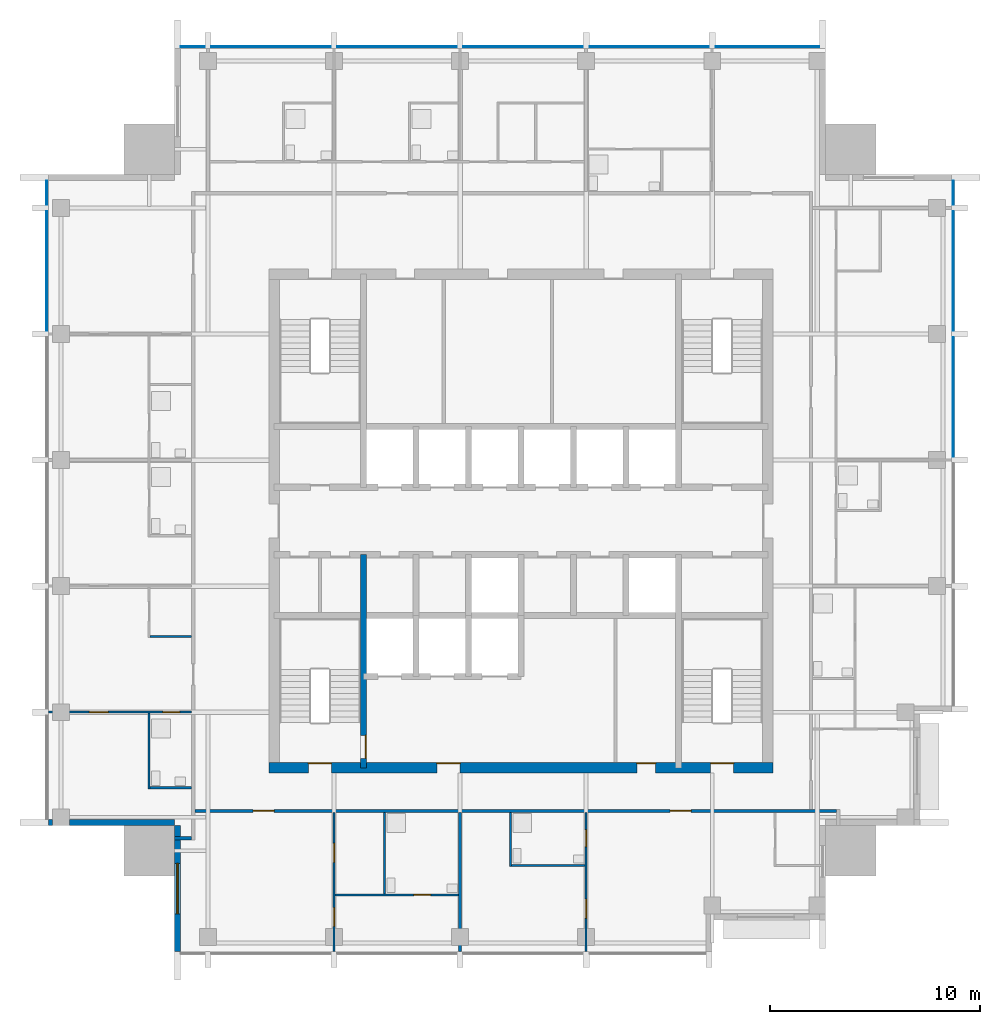
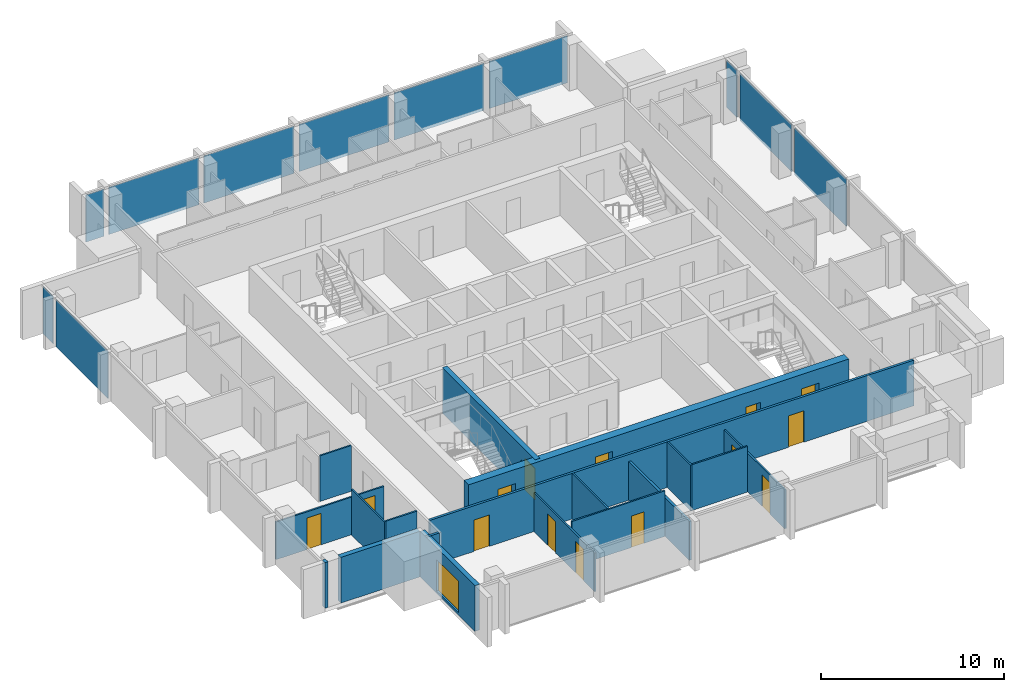
# One storey, part 3 of 9: 18 walls, 14 doors, 11 plates, 1 window, 15 openings, 3 elements without a shape of their own.
"""IFC4 building model written with IfcOpenShell, lengths in metres."""

import ifcopenshell
import ifcopenshell.guid

model = None  # the IFC model being written
_history = None  # IfcOwnerHistory: only IFC2X3 demands one
_inside = {}  # id of a spatial element -> (the spatial element, [elements in it])
_under = {}  # id of a project, library or spatial element -> (it, [spatial elements below it])
_declared = {}  # id of a project -> (the project, [libraries it declares])
_typed = {}  # id of a type object -> (the type object, [elements of that type])
_made_of = {}  # id of a material, layer set ... -> (it, [elements and type objects made of it])


def new_model(schema):
    """Start an empty IFC model of exactly this schema.

    Asked for "IFC4X3", IfcOpenShell would pick the latest addendum, in which some entities
    have other attributes; the version numbers below select the first issue.
    IFC2X3 requires an IfcOwnerHistory on every rooted entity: one is made here for all.
    """
    global model, _history
    if schema == "IFC4X3":
        model = ifcopenshell.file(schema_version=(4, 3, 0, 0))
    else:
        model = ifcopenshell.file(schema=schema)
    _inside.clear()
    _under.clear()
    _declared.clear()
    _typed.clear()
    _made_of.clear()
    _history = None
    if model.schema == "IFC2X3":
        org = make("IfcOrganization", Name="unknown")
        user = make(
            "IfcPersonAndOrganization",
            ThePerson=make("IfcPerson", FamilyName="unknown"),
            TheOrganization=org,
        )
        app = make(
            "IfcApplication",
            ApplicationDeveloper=org,
            Version="unknown",
            ApplicationFullName="unknown",
            ApplicationIdentifier="unknown",
        )
        _history = make(
            "IfcOwnerHistory",
            OwningUser=user,
            OwningApplication=app,
            ChangeAction="ADDED",
            CreationDate=0,
        )
    return model


def make(cls, **values):
    """One entity of the class cls with the attributes given. An attribute that is None is left unset."""
    return model.create_entity(
        cls, **{name: value for name, value in values.items() if value is not None}
    )


def rooted(cls, **values):
    """An entity with a GlobalId (a new one), such as an element, a storey or a relation."""
    return make(cls, GlobalId=ifcopenshell.guid.new(), OwnerHistory=_history, **values)


def si_unit(unit_type, name, prefix=None):
    """IfcSIUnit, for example si_unit("LENGTHUNIT", "METRE", prefix="MILLI")."""
    return make("IfcSIUnit", UnitType=unit_type, Prefix=prefix, Name=name)


def assignment(units):
    """IfcUnitAssignment: the units of a project."""
    return None if units is None else make("IfcUnitAssignment", Units=units)


def point(xyz):
    """IfcCartesianPoint."""
    return None if xyz is None else make("IfcCartesianPoint", Coordinates=xyz)


def direction(xyz):
    """IfcDirection."""
    return None if xyz is None else make("IfcDirection", DirectionRatios=xyz)


def frame(location, z_axis=None, x_axis=None):
    """IfcAxis2Placement3D, a coordinate frame: its origin and axes. An axis left out is left unset."""
    return make(
        "IfcAxis2Placement3D",
        Location=point(location),
        Axis=direction(z_axis),
        RefDirection=direction(x_axis),
    )


def frame_2d(location, x_axis=None):
    """IfcAxis2Placement2D, a coordinate frame in the plane: its origin and x axis."""
    return make(
        "IfcAxis2Placement2D", Location=point(location), RefDirection=direction(x_axis)
    )


def origin():
    """The frame at (0, 0, 0) with its axes left unset."""
    return frame((0.0, 0.0, 0.0))


def origin_2d():
    """The frame at (0, 0) in the plane with its x axis left unset."""
    return frame_2d((0.0, 0.0))


def place(relative_to, where):
    """IfcLocalPlacement: puts the frame where relative to a parent placement (None: the world)."""
    return make(
        "IfcLocalPlacement", PlacementRelTo=relative_to, RelativePlacement=where
    )


def context(
    kind, dimensions, precision=None, world=None, true_north=None, identifier=None
):
    """IfcGeometricRepresentationContext, for example the 3D "Model" context."""
    return make(
        "IfcGeometricRepresentationContext",
        ContextIdentifier=identifier,
        ContextType=kind,
        CoordinateSpaceDimension=dimensions,
        Precision=precision,
        WorldCoordinateSystem=world,
        TrueNorth=true_north,
    )


def subcontext(parent, identifier, kind, view, scale=None):
    """IfcGeometricRepresentationSubContext, for example "Body" below "Model"."""
    return make(
        "IfcGeometricRepresentationSubContext",
        ContextIdentifier=identifier,
        ContextType=kind,
        ParentContext=parent,
        TargetScale=scale,
        TargetView=view,
    )


def project(units=None, contexts=None):
    """IfcProject with its units and contexts."""
    return rooted(
        "IfcProject",
        Name="project",
        RepresentationContexts=contexts,
        UnitsInContext=assignment(units),
    )


def spatial(cls, under=None, at=None, **own):
    """A site, building, storey or space (cls), placed at a placement, below another one or the project."""
    s = rooted(cls, ObjectPlacement=at, **own)
    if under is not None:
        _under.setdefault(under.id(), (under, []))[1].append(s)
    return s


def profile(cls, at=None, kind="AREA", **sizes):
    """A parametric profile (cls). Its sizes go by their IFC names, for example OverallWidth=200.0."""
    return make(cls, ProfileType=kind, Position=at, **sizes)


def rectangle(**sizes):
    """IfcRectangleProfileDef."""
    return profile("IfcRectangleProfileDef", **sizes)


def extrude(swept, where, along, depth):
    """IfcExtrudedAreaSolid: the profile swept, set in the frame where, extruded along a direction by depth."""
    return make(
        "IfcExtrudedAreaSolid",
        SweptArea=swept,
        Position=where,
        ExtrudedDirection=direction(along),
        Depth=depth,
    )


def shape(context_of_items, identifier, shape_type, items):
    """IfcShapeRepresentation: the items that make up one representation, for example the "Body"."""
    return make(
        "IfcShapeRepresentation",
        ContextOfItems=context_of_items,
        RepresentationIdentifier=identifier,
        RepresentationType=shape_type,
        Items=items,
    )


def material(Name=None, Category=None):
    """IfcMaterial."""
    return make("IfcMaterial", Name=Name, Category=Category)


def layer(
    of_material, thickness, ventilated=None, Name=None, Category=None, Priority=None
):
    """IfcMaterialLayer: one layer of a wall or slab, of a material (None: an air gap)."""
    return make(
        "IfcMaterialLayer",
        Material=of_material,
        LayerThickness=thickness,
        IsVentilated=ventilated,
        Name=Name,
        Category=Category,
        Priority=Priority,
    )


def layer_set(layers, Name=None):
    """IfcMaterialLayerSet."""
    return make("IfcMaterialLayerSet", MaterialLayers=layers, LayerSetName=Name)


def made_of(thing, what):
    """Note that an element or type object is made of a material, layer set ...; save() writes the relation."""
    if what is not None:
        _made_of.setdefault(what.id(), (what, []))[1].append(thing)
    return thing


def type_object(cls, material=None, **own):
    """A type object (cls), such as IfcWallType, which elements share."""
    return made_of(rooted(cls, **own), material)


def element(
    cls,
    number,
    at=None,
    inside=None,
    cuts=None,
    type_object=None,
    material=None,
    context=None,
    identifier="Body",
    shape_type=None,
    held_by="IfcProductDefinitionShape",
    body=None,
    shapes=None,
    **own,
):
    """One element of the class cls, such as IfcWall. Its Tag is "e" and its number.

    at: its placement. inside: the storey or other place that contains it. cuts: it is an
    opening in that element (IfcRelVoidsElement). A single representation is given by context,
    identifier, shape_type and body (its items); several are given by shapes. held_by: the class
    of the entity that holds the representations. save() writes the other relations.
    """
    e = rooted(cls, Tag="e%d" % number, ObjectPlacement=at, **own)
    if body is not None:
        shapes = [shape(context, identifier, shape_type, body)]
    if shapes is not None:
        e.Representation = make(held_by, Representations=shapes)
    if inside is not None:
        _inside.setdefault(inside.id(), (inside, []))[1].append(e)
    if cuts is not None:
        rooted(
            "IfcRelVoidsElement", RelatingBuildingElement=cuts, RelatedOpeningElement=e
        )
    if type_object is not None:
        _typed.setdefault(type_object.id(), (type_object, []))[1].append(e)
    return made_of(e, material)


def fill(opening, filler):
    """IfcRelFillsElement: the door or window that sits in an opening."""
    return rooted(
        "IfcRelFillsElement",
        RelatingOpeningElement=opening,
        RelatedBuildingElement=filler,
    )


def aggregate(whole, parts):
    """IfcRelAggregates: a whole, such as a stair, and the parts it consists of."""
    return rooted("IfcRelAggregates", RelatingObject=whole, RelatedObjects=parts)


def save(model, path):
    """Write the relations noted so far, then the file.

    IfcRelAggregates (storeys below a building ...), IfcRelContainedInSpatialStructure (elements
    in a storey), IfcRelDefinesByType, IfcRelAssociatesMaterial and IfcRelDeclares: one each for
    every whole, place, type object, material and project.
    """
    for whole, parts in _under.values():
        aggregate(whole, parts)
    for where, things in _inside.values():
        rooted(
            "IfcRelContainedInSpatialStructure",
            RelatedElements=things,
            RelatingStructure=where,
        )
    for kind, things in _typed.values():
        rooted("IfcRelDefinesByType", RelatedObjects=things, RelatingType=kind)
    for what, things in _made_of.values():
        rooted("IfcRelAssociatesMaterial", RelatedObjects=things, RelatingMaterial=what)
    for by, libraries in _declared.values():
        rooted("IfcRelDeclares", RelatingContext=by, RelatedDefinitions=libraries)
    model.write(path)


model = new_model("IFC4")

# Units and contexts
model_context = context("Model", 3, precision=1e-05, world=origin(), true_north=direction((0.0, 1.0)))
body_context = subcontext(model_context, "Body", "Model", "MODEL_VIEW")
ifc_project = project(units=[si_unit("LENGTHUNIT", "METRE"), si_unit("AREAUNIT", "SQUARE_METRE"), si_unit("VOLUMEUNIT", "CUBIC_METRE"), si_unit("PLANEANGLEUNIT", "RADIAN"), si_unit("MASSUNIT", "GRAM", prefix="KILO")], contexts=[model_context])

# Site, building, storey
site_placement = place(None, origin())
site = spatial("IfcSite", under=ifc_project, at=site_placement, CompositionType="ELEMENT")
building_placement = place(site_placement, origin())
building = spatial("IfcBuilding", under=site, at=building_placement, Name="Amberfall Residences", CompositionType="ELEMENT")
storey_placement = place(building_placement, frame((0.0, 0.0, 255.39990234375)))
storey = spatial("IfcBuildingStorey", under=building, at=storey_placement, Name="L68", CompositionType="ELEMENT", Elevation=255.39990234375)

# Curtain wall, plates
ifc_material_1 = material(Name="Bronze anodised aluminium and glass", Category="aluminium")
curtain_wall_type = type_object("IfcCurtainWallType", Name="Curtain wall CW1 tower unit", PredefinedType="USERDEFINED", material=ifc_material_1)
curtain_wall_1_placement = place(storey_placement, origin())
curtain_wall_1 = element("IfcCurtainWall", 1, at=curtain_wall_1_placement, inside=storey, type_object=curtain_wall_type, Name="Curtain wall L68 E E3", ObjectType="UNITISED CURTAIN WALL", PredefinedType="USERDEFINED")
ifc_material_2 = material(Name="Tinted double glazed unit", Category="glass")
ifc_layer_1 = layer(ifc_material_2, 0.035888671875)
ifc_layer_set_1 = layer_set([ifc_layer_1], Name="CW1 panel 36 glazing")
plate_type = type_object("IfcPlateType", Name="CW1 panel 36 glazing", PredefinedType="CURTAIN_PANEL", material=ifc_layer_set_1)
plate_1_placement = place(storey_placement, frame((95.074951171875, 51.39990234375, -0.249755859375), z_axis=(0.0, 0.0, 1.0), x_axis=(0.0, 1.0, 0.0)))
plate_1 = element("IfcPlate", 2, at=plate_1_placement, type_object=plate_type, Name="CW1 panel 3.1", PredefinedType="CURTAIN_PANEL", context=body_context, shape_type="SweptSolid", body=[
    extrude(rectangle(XDim=5.676025390625, YDim=0.035888671875, at=origin_2d()), origin(), (0.0, 0.0, 1.0), 3.14990234375),
])
plate_2_placement = place(storey_placement, frame((95.074951171875, 57.39990234375, -0.249755859375), z_axis=(0.0, 0.0, 1.0), x_axis=(0.0, 1.0, 0.0)))
plate_2 = element("IfcPlate", 3, at=plate_2_placement, type_object=plate_type, Name="CW1 panel 4.1", PredefinedType="CURTAIN_PANEL", context=body_context, shape_type="SweptSolid", body=[
    extrude(rectangle(XDim=5.676025390625, YDim=0.035888671875, at=origin_2d()), origin(), (0.0, 0.0, 1.0), 3.14990234375),
])
plate_3_placement = place(storey_placement, frame((95.074951171875, 61.125, -0.249755859375), z_axis=(0.0, 0.0, 1.0), x_axis=(0.0, 1.0, 0.0)))
plate_3 = element("IfcPlate", 4, at=plate_3_placement, type_object=plate_type, Name="CW1 panel 5.1", PredefinedType="CURTAIN_PANEL", context=body_context, shape_type="SweptSolid", body=[
    extrude(rectangle(XDim=1.1259765625, YDim=0.035888671875, at=origin_2d()), origin(), (0.0, 0.0, 1.0), 3.14990234375),
])
aggregate(curtain_wall_1, [plate_1, plate_2, plate_3])

curtain_wall_2_placement = place(storey_placement, origin())
curtain_wall_2 = element("IfcCurtainWall", 5, at=curtain_wall_2_placement, inside=storey, type_object=curtain_wall_type, Name="Curtain wall L68 N N1", ObjectType="UNITISED CURTAIN WALL", PredefinedType="USERDEFINED")
plate_4_placement = place(storey_placement, frame((86.22509765625, 68.074951171875, -0.249755859375), z_axis=(0.0, 0.0, 1.0), x_axis=(-1.0, 0.0, 0.0)))
plate_4 = element("IfcPlate", 6, at=plate_4_placement, type_object=plate_type, Name="CW1 panel 1.1", PredefinedType="CURTAIN_PANEL", context=body_context, shape_type="SweptSolid", body=[
    extrude(rectangle(XDim=4.926025390625, YDim=0.035888671875, at=origin_2d()), origin(), (0.0, 0.0, 1.0), 3.14990234375),
])
plate_5_placement = place(storey_placement, frame((80.60009765625, 68.074951171875, -0.249755859375), z_axis=(0.0, 0.0, 1.0), x_axis=(-1.0, 0.0, 0.0)))
plate_5 = element("IfcPlate", 7, at=plate_5_placement, type_object=plate_type, Name="CW1 panel 2.1", PredefinedType="CURTAIN_PANEL", context=body_context, shape_type="SweptSolid", body=[
    extrude(rectangle(XDim=5.676025390625, YDim=0.035888671875, at=origin_2d()), origin(), (0.0, 0.0, 1.0), 3.14990234375),
])
plate_6_placement = place(storey_placement, frame((74.60009765625, 68.074951171875, -0.249755859375), z_axis=(0.0, 0.0, 1.0), x_axis=(-1.0, 0.0, 0.0)))
plate_6 = element("IfcPlate", 8, at=plate_6_placement, type_object=plate_type, Name="CW1 panel 3.1", PredefinedType="CURTAIN_PANEL", context=body_context, shape_type="SweptSolid", body=[
    extrude(rectangle(XDim=5.676025390625, YDim=0.035888671875, at=origin_2d()), origin(), (0.0, 0.0, 1.0), 3.14990234375),
])
plate_7_placement = place(storey_placement, frame((68.60009765625, 68.074951171875, -0.249755859375), z_axis=(0.0, 0.0, 1.0), x_axis=(-1.0, 0.0, 0.0)))
plate_7 = element("IfcPlate", 9, at=plate_7_placement, type_object=plate_type, Name="CW1 panel 4.1", PredefinedType="CURTAIN_PANEL", context=body_context, shape_type="SweptSolid", body=[
    extrude(rectangle(XDim=5.676025390625, YDim=0.035888671875, at=origin_2d()), origin(), (0.0, 0.0, 1.0), 3.14990234375),
])
plate_8_placement = place(storey_placement, frame((62.60009765625, 68.074951171875, -0.249755859375), z_axis=(0.0, 0.0, 1.0), x_axis=(-1.0, 0.0, 0.0)))
plate_8 = element("IfcPlate", 10, at=plate_8_placement, type_object=plate_type, Name="CW1 panel 5.1", PredefinedType="CURTAIN_PANEL", context=body_context, shape_type="SweptSolid", body=[
    extrude(rectangle(XDim=5.676025390625, YDim=0.035888671875, at=origin_2d()), origin(), (0.0, 0.0, 1.0), 3.14990234375),
])
plate_9_placement = place(storey_placement, frame((58.875, 68.074951171875, -0.249755859375), z_axis=(0.0, 0.0, 1.0), x_axis=(-1.0, 0.0, 0.0)))
plate_9 = element("IfcPlate", 11, at=plate_9_placement, type_object=plate_type, Name="CW1 panel 6.1", PredefinedType="CURTAIN_PANEL", context=body_context, shape_type="SweptSolid", body=[
    extrude(rectangle(XDim=1.1259765625, YDim=0.035888671875, at=origin_2d()), origin(), (0.0, 0.0, 1.0), 3.14990234375),
])
aggregate(curtain_wall_2, [plate_4, plate_5, plate_6, plate_7, plate_8, plate_9])

curtain_wall_3_placement = place(storey_placement, origin())
curtain_wall_3 = element("IfcCurtainWall", 12, at=curtain_wall_3_placement, inside=storey, type_object=curtain_wall_type, Name="Curtain wall L68 W W1", ObjectType="UNITISED CURTAIN WALL", PredefinedType="USERDEFINED")
plate_10_placement = place(storey_placement, frame((51.925048828125, 61.125, -0.249755859375), z_axis=(0.0, 0.0, 1.0), x_axis=(0.0, -1.0, 0.0)))
plate_10 = element("IfcPlate", 13, at=plate_10_placement, type_object=plate_type, Name="CW1 panel 1.1", PredefinedType="CURTAIN_PANEL", context=body_context, shape_type="SweptSolid", body=[
    extrude(rectangle(XDim=1.1259765625, YDim=0.035888671875, at=origin_2d()), origin(), (0.0, 0.0, 1.0), 3.14990234375),
])
plate_11_placement = place(storey_placement, frame((51.925048828125, 57.39990234375, -0.249755859375), z_axis=(0.0, 0.0, 1.0), x_axis=(0.0, -1.0, 0.0)))
plate_11 = element("IfcPlate", 14, at=plate_11_placement, type_object=plate_type, Name="CW1 panel 2.1", PredefinedType="CURTAIN_PANEL", context=body_context, shape_type="SweptSolid", body=[
    extrude(rectangle(XDim=5.676025390625, YDim=0.035888671875, at=origin_2d()), origin(), (0.0, 0.0, 1.0), 3.14990234375),
])
aggregate(curtain_wall_3, [plate_10, plate_11])

# Walls
ifc_material_3 = material(Name="Pale stone cladding on insulated backing", Category="masonry")
ifc_layer_2 = layer(ifc_material_3, 0.300048828125)
ifc_layer_set_2 = layer_set([ifc_layer_2], Name="Bronze clad wall 300")
wall_type_1 = type_object("IfcWallType", Name="Bronze clad wall 300", PredefinedType="SOLIDWALL", material=ifc_layer_set_2)
wall_1_placement = place(storey_placement, frame((52.0, 31.14990234375, 0.0), z_axis=(0.0, 0.0, 1.0), x_axis=(1.0, 0.0, 0.0)))
element("IfcWall", 15, at=wall_1_placement, inside=storey, type_object=wall_type_1, Name="External wall L68 SW", PredefinedType="SOLIDWALL", context=body_context, shape_type="SweptSolid", body=[
    extrude(rectangle(XDim=0.199951171875, YDim=0.300048828125, at=frame_2d((0.10009765625, 0.0))), origin(), (0.0, 0.0, 1.0), 3.050048828125),
])
wall_2_placement = place(storey_placement, frame((53.0, 31.14990234375, 0.0), z_axis=(0.0, 0.0, 1.0), x_axis=(1.0, 0.0, 0.0)))
element("IfcWall", 16, at=wall_2_placement, inside=storey, type_object=wall_type_1, Name="External wall L68 SW", PredefinedType="SOLIDWALL", context=body_context, shape_type="SweptSolid", body=[
    extrude(rectangle(XDim=5.0, YDim=0.300048828125, at=frame_2d((2.5, 0.0))), origin(), (0.0, 0.0, 1.0), 3.050048828125),
])

# Wall, opening, window
wall_3_placement = place(storey_placement, frame((58.14990234375, 31.0, 0.0), z_axis=(0.0, 0.0, 1.0), x_axis=(0.0, -1.0, 0.0)))
wall_3 = element("IfcWall", 17, at=wall_3_placement, inside=storey, type_object=wall_type_1, Name="External wall L68 SW", PredefinedType="SOLIDWALL", context=body_context, shape_type="SweptSolid", body=[
    extrude(rectangle(XDim=6.0, YDim=0.300048828125, at=frame_2d((3.0, 0.0))), origin(), (0.0, 0.0, 1.0), 3.050048828125),
])
opening_1_placement = place(wall_3_placement, frame((1.800048828125, 0.0, 0.14990234375)))
opening_1 = element("IfcOpeningElement", 18, at=opening_1_placement, cuts=wall_3, Name="Opening WN5", PredefinedType="OPENING", context=body_context, shape_type="SweptSolid", body=[
    extrude(rectangle(XDim=2.39990234375, YDim=2.10009765625, at=frame_2d((1.199951171875, 1.050048828125))), frame((0.0, 0.159912109375, 0.0), z_axis=(0.0, -1.0, 0.0), x_axis=(1.0, 0.0, 0.0)), (0.0, 0.0, 1.0), 0.320068359375),
])
ifc_material_4 = material(Name="Bronze aluminium framed glazing", Category="aluminium")
window_type = type_object("IfcWindowType", Name="Glazed opening 2400 x 2100 bronze", PartitioningType="DOUBLE_PANEL_VERTICAL", PredefinedType="WINDOW", material=ifc_material_4)
window_placement = place(opening_1_placement, origin())
window = element("IfcWindow", 19, at=window_placement, inside=storey, type_object=window_type, Name="Window L68 SW", OverallHeight=2.10009765625, OverallWidth=2.39990234375, PartitioningType="DOUBLE_PANEL_VERTICAL", PredefinedType="WINDOW", context=body_context, shape_type="SweptSolid", body=[
    extrude(rectangle(XDim=2.39990234375, YDim=2.10009765625, at=frame_2d((1.199951171875, 1.050048828125))), frame((0.0, 0.030029296875, 0.0), z_axis=(0.0, -1.0, 0.0), x_axis=(1.0, 0.0, 0.0)), (0.0, 0.0, 1.0), 0.06005859375),
])
fill(opening_1, window)

# Wall, opening, door
ifc_material_5 = material(Name="Concrete C50", Category="concrete")
ifc_layer_3 = layer(ifc_material_5, 0.300048828125)
ifc_layer_set_3 = layer_set([ifc_layer_3], Name="Core wall 300 C50")
wall_type_2 = type_object("IfcWallType", Name="Core wall 300 C50", PredefinedType="SHEAR", material=ifc_layer_set_3)
wall_4_placement = place(storey_placement, frame((67.0, 33.75, 0.0), z_axis=(0.0, 0.0, 1.0), x_axis=(0.0, 1.0, 0.0)))
wall_4 = element("IfcWall", 20, at=wall_4_placement, inside=storey, type_object=wall_type_2, Name="Core wall RW10 L68 V45S", PredefinedType="SHEAR", context=body_context, shape_type="SweptSolid", body=[
    extrude(rectangle(XDim=10.14990234375, YDim=0.300048828125, at=frame_2d((5.074951171875, 0.0))), origin(), (0.0, 0.0, 1.0), 3.050048828125),
])
opening_2_placement = place(wall_4_placement, frame((0.449951171875, 0.0, 0.0)))
opening_2 = element("IfcOpeningElement", 21, at=opening_2_placement, cuts=wall_4, Name="Opening FL1", PredefinedType="OPENING", context=body_context, shape_type="SweptSolid", body=[
    extrude(rectangle(XDim=1.10009765625, YDim=2.10009765625, at=frame_2d((0.550048828125, 1.050048828125))), frame((0.0, 0.159912109375, 0.0), z_axis=(0.0, -1.0, 0.0), x_axis=(1.0, 0.0, 0.0)), (0.0, 0.0, 1.0), 0.320068359375),
])
ifc_material_6 = material(Name="Steel fire door set", Category="steel")
door_type_1 = type_object("IfcDoorType", Name="Firefighting lobby door 1100 x 2100", OperationType="SINGLE_SWING_LEFT", PredefinedType="DOOR", material=ifc_material_6)
door_1_placement = place(opening_2_placement, origin())
door_1 = element("IfcDoor", 22, at=door_1_placement, inside=storey, type_object=door_type_1, Name="FL1 L68", OperationType="SINGLE_SWING_RIGHT", OverallHeight=2.10009765625, OverallWidth=1.10009765625, PredefinedType="DOOR", context=body_context, shape_type="SweptSolid", body=[
    extrude(rectangle(XDim=1.10009765625, YDim=2.10009765625, at=frame_2d((0.550048828125, 1.050048828125))), frame((0.0, -0.08740234375, 0.0), z_axis=(0.0, -1.0, 0.0), x_axis=(1.0, 0.0, 0.0)), (0.0, 0.0, 1.0), 0.050048828125),
])
fill(opening_2, door_1)

# Wall, openings, doors
ifc_layer_4 = layer(ifc_material_5, 0.5)
ifc_layer_set_4 = layer_set([ifc_layer_4], Name="Core wall 500 C50")
wall_type_3 = type_object("IfcWallType", Name="Core wall 500 C50", PredefinedType="SHEAR", material=ifc_layer_set_4)
wall_5_placement = place(storey_placement, frame((62.5, 33.75, 0.0), z_axis=(0.0, 0.0, 1.0), x_axis=(1.0, 0.0, 0.0)))
wall_5 = element("IfcWall", 23, at=wall_5_placement, inside=storey, type_object=wall_type_3, Name="Core wall RW9 L68 OS", PredefinedType="SHEAR", context=body_context, shape_type="SweptSolid", body=[
    extrude(rectangle(XDim=24.0, YDim=0.5, at=frame_2d((12.0, 0.0))), origin(), (0.0, 0.0, 1.0), 3.050048828125),
])
opening_3_placement = place(wall_5_placement, frame((1.875, 0.0, 0.0)))
opening_3 = element("IfcOpeningElement", 24, at=opening_3_placement, cuts=wall_5, Name="Opening SD1", PredefinedType="OPENING", context=body_context, shape_type="SweptSolid", body=[
    extrude(rectangle(XDim=1.10009765625, YDim=2.10009765625, at=frame_2d((0.550048828125, 1.050048828125))), frame((0.0, 0.260009765625, 0.0), z_axis=(0.0, -1.0, 0.0), x_axis=(1.0, 0.0, 0.0)), (0.0, 0.0, 1.0), 0.52001953125),
])
opening_4_placement = place(wall_5_placement, frame((21.02490234375, 0.0, 0.0)))
opening_4 = element("IfcOpeningElement", 25, at=opening_4_placement, cuts=wall_5, Name="Opening SD1", PredefinedType="OPENING", context=body_context, shape_type="SweptSolid", body=[
    extrude(rectangle(XDim=1.10009765625, YDim=2.10009765625, at=frame_2d((0.550048828125, 1.050048828125))), frame((0.0, 0.260009765625, 0.0), z_axis=(0.0, -1.0, 0.0), x_axis=(1.0, 0.0, 0.0)), (0.0, 0.0, 1.0), 0.52001953125),
])
opening_5_placement = place(wall_5_placement, frame((8.0, 0.0, 0.0)))
opening_5 = element("IfcOpeningElement", 26, at=opening_5_placement, cuts=wall_5, Name="Opening FL1", PredefinedType="OPENING", context=body_context, shape_type="SweptSolid", body=[
    extrude(rectangle(XDim=1.10009765625, YDim=2.10009765625, at=frame_2d((0.550048828125, 1.050048828125))), frame((0.0, 0.260009765625, 0.0), z_axis=(0.0, -1.0, 0.0), x_axis=(1.0, 0.0, 0.0)), (0.0, 0.0, 1.0), 0.52001953125),
])
opening_6_placement = place(wall_5_placement, frame((17.512451171875, 0.0, 0.0)))
opening_6 = element("IfcOpeningElement", 27, at=opening_6_placement, cuts=wall_5, Name="Opening RD1", PredefinedType="OPENING", context=body_context, shape_type="SweptSolid", body=[
    extrude(rectangle(XDim=0.89990234375, YDim=2.10009765625, at=frame_2d((0.449951171875, 1.050048828125))), frame((0.0, 0.260009765625, 0.0), z_axis=(0.0, -1.0, 0.0), x_axis=(1.0, 0.0, 0.0)), (0.0, 0.0, 1.0), 0.52001953125),
])
door_2_placement = place(opening_5_placement, origin())
door_2 = element("IfcDoor", 28, at=door_2_placement, inside=storey, type_object=door_type_1, Name="FL1 L68", OperationType="SINGLE_SWING_LEFT", OverallHeight=2.10009765625, OverallWidth=1.10009765625, PredefinedType="DOOR", context=body_context, shape_type="SweptSolid", body=[
    extrude(rectangle(XDim=1.10009765625, YDim=2.10009765625, at=frame_2d((0.550048828125, 1.050048828125))), frame((0.0, 0.2373046875, 0.0), z_axis=(0.0, -1.0, 0.0), x_axis=(1.0, 0.0, 0.0)), (0.0, 0.0, 1.0), 0.050048828125),
])
fill(opening_5, door_2)
door_type_2 = type_object("IfcDoorType", Name="Service room door 900 x 2100", OperationType="SINGLE_SWING_LEFT", PredefinedType="DOOR", material=ifc_material_6)
door_3_placement = place(opening_6_placement, origin())
door_3 = element("IfcDoor", 29, at=door_3_placement, inside=storey, type_object=door_type_2, Name="RD1 L68", OperationType="SINGLE_SWING_LEFT", OverallHeight=2.10009765625, OverallWidth=0.89990234375, PredefinedType="DOOR", context=body_context, shape_type="SweptSolid", body=[
    extrude(rectangle(XDim=0.89990234375, YDim=2.10009765625, at=frame_2d((0.449951171875, 1.050048828125))), frame((0.0, 0.2373046875, 0.0), z_axis=(0.0, -1.0, 0.0), x_axis=(1.0, 0.0, 0.0)), (0.0, 0.0, 1.0), 0.050048828125),
])
fill(opening_6, door_3)
door_type_3 = type_object("IfcDoorType", Name="Stair door 1100 x 2100", OperationType="SINGLE_SWING_LEFT", PredefinedType="DOOR", material=ifc_material_6)
door_4_placement = place(opening_3_placement, origin())
door_4 = element("IfcDoor", 30, at=door_4_placement, inside=storey, type_object=door_type_3, Name="SD1 L68", OperationType="SINGLE_SWING_LEFT", OverallHeight=2.10009765625, OverallWidth=1.10009765625, PredefinedType="DOOR", context=body_context, shape_type="SweptSolid", body=[
    extrude(rectangle(XDim=1.10009765625, YDim=2.10009765625, at=frame_2d((0.550048828125, 1.050048828125))), frame((0.0, 0.2373046875, 0.0), z_axis=(0.0, -1.0, 0.0), x_axis=(1.0, 0.0, 0.0)), (0.0, 0.0, 1.0), 0.050048828125),
])
fill(opening_3, door_4)
door_5_placement = place(opening_4_placement, origin())
door_5 = element("IfcDoor", 31, at=door_5_placement, inside=storey, type_object=door_type_3, Name="SD1 L68", OperationType="SINGLE_SWING_RIGHT", OverallHeight=2.10009765625, OverallWidth=1.10009765625, PredefinedType="DOOR", context=body_context, shape_type="SweptSolid", body=[
    extrude(rectangle(XDim=1.10009765625, YDim=2.10009765625, at=frame_2d((0.550048828125, 1.050048828125))), frame((0.0, 0.2373046875, 0.0), z_axis=(0.0, -1.0, 0.0), x_axis=(1.0, 0.0, 0.0)), (0.0, 0.0, 1.0), 0.050048828125),
])
fill(opening_4, door_5)

# Wall
ifc_material_7 = material(Name="Gypsum board on metal stud")
ifc_layer_5 = layer(ifc_material_7, 0.10009765625)
ifc_layer_set_5 = layer_set([ifc_layer_5], Name="Flat partition 100")
wall_type_4 = type_object("IfcWallType", Name="Flat partition 100", PredefinedType="PARTITIONING", material=ifc_layer_set_5)
wall_6_placement = place(storey_placement, frame((56.800048828125, 32.75, 0.0), z_axis=(0.0, 0.0, 1.0), x_axis=(0.0, 1.0, 0.0)))
element("IfcWall", 32, at=wall_6_placement, inside=storey, type_object=wall_type_4, Name="Partition 001", PredefinedType="PARTITIONING", context=body_context, shape_type="SweptSolid", body=[
    extrude(rectangle(XDim=3.60009765625, YDim=0.10009765625, at=frame_2d((1.800048828125, 0.0))), origin(), (0.0, 0.0, 1.0), 3.050048828125),
])

# Wall, openings, doors
wall_7_placement = place(storey_placement, frame((65.60009765625, 31.625, 0.0), z_axis=(0.0, 0.0, 1.0), x_axis=(0.0, -1.0, 0.0)))
wall_7 = element("IfcWall", 33, at=wall_7_placement, inside=storey, type_object=wall_type_4, Name="Partition 005", PredefinedType="PARTITIONING", context=body_context, shape_type="SweptSolid", body=[
    extrude(rectangle(XDim=6.625, YDim=0.10009765625, at=frame_2d((3.3125, 0.0))), origin(), (0.0, 0.0, 1.0), 2.590087890625),
])
opening_7_placement = place(wall_7_placement, frame((1.47509765625, 0.0, 0.0)))
opening_7 = element("IfcOpeningElement", 34, at=opening_7_placement, cuts=wall_7, Name="Opening D41", PredefinedType="OPENING", context=body_context, shape_type="SweptSolid", body=[
    extrude(rectangle(XDim=0.89990234375, YDim=2.10009765625, at=frame_2d((0.449951171875, 1.050048828125))), frame((0.0, 0.06005859375, 0.0), z_axis=(0.0, -1.0, 0.0), x_axis=(1.0, 0.0, 0.0)), (0.0, 0.0, 1.0), 0.1201171875),
])
opening_8_placement = place(wall_7_placement, frame((4.52490234375, 0.0, 0.0)))
opening_8 = element("IfcOpeningElement", 35, at=opening_8_placement, cuts=wall_7, Name="Opening D41", PredefinedType="OPENING", context=body_context, shape_type="SweptSolid", body=[
    extrude(rectangle(XDim=0.89990234375, YDim=2.10009765625, at=frame_2d((0.449951171875, 1.050048828125))), frame((0.0, 0.06005859375, 0.0), z_axis=(0.0, -1.0, 0.0), x_axis=(1.0, 0.0, 0.0)), (0.0, 0.0, 1.0), 0.1201171875),
])
ifc_material_8 = material(Name="Timber", Category="wood")
door_type_4 = type_object("IfcDoorType", Name="Internal door 900 x 2100", OperationType="SINGLE_SWING_LEFT", PredefinedType="DOOR", material=ifc_material_8)
door_6_placement = place(opening_7_placement, origin())
door_6 = element("IfcDoor", 36, at=door_6_placement, inside=storey, type_object=door_type_4, Name="Door 6801 kitchen", OperationType="SINGLE_SWING_LEFT", OverallHeight=2.10009765625, OverallWidth=0.89990234375, PredefinedType="DOOR", context=body_context, shape_type="SweptSolid", body=[
    extrude(rectangle(XDim=0.89990234375, YDim=2.10009765625, at=frame_2d((0.449951171875, 1.050048828125))), frame((0.0, 0.02490234375, 0.0), z_axis=(0.0, -1.0, 0.0), x_axis=(1.0, 0.0, 0.0)), (0.0, 0.0, 1.0), 0.050048828125),
])
fill(opening_7, door_6)
door_7_placement = place(opening_8_placement, origin())
door_7 = element("IfcDoor", 37, at=door_7_placement, inside=storey, type_object=door_type_4, Name="Door 6801 bedroom1", OperationType="SINGLE_SWING_LEFT", OverallHeight=2.10009765625, OverallWidth=0.89990234375, PredefinedType="DOOR", context=body_context, shape_type="SweptSolid", body=[
    extrude(rectangle(XDim=0.89990234375, YDim=2.10009765625, at=frame_2d((0.449951171875, 1.050048828125))), frame((0.0, 0.02490234375, 0.0), z_axis=(0.0, -1.0, 0.0), x_axis=(1.0, 0.0, 0.0)), (0.0, 0.0, 1.0), 0.050048828125),
])
fill(opening_8, door_7)

# Walls
wall_8_placement = place(storey_placement, frame((68.0, 27.75, 0.0), z_axis=(0.0, 0.0, 1.0), x_axis=(0.0, 1.0, 0.0)))
element("IfcWall", 38, at=wall_8_placement, inside=storey, type_object=wall_type_4, Name="Partition 007", PredefinedType="PARTITIONING", context=body_context, shape_type="SweptSolid", body=[
    extrude(rectangle(XDim=3.875, YDim=0.10009765625, at=frame_2d((1.9375, 0.0))), origin(), (0.0, 0.0, 1.0), 3.050048828125),
])
wall_9_placement = place(storey_placement, frame((74.0, 29.050048828125, 0.0), z_axis=(0.0, 0.0, 1.0), x_axis=(0.0, 1.0, 0.0)))
element("IfcWall", 39, at=wall_9_placement, inside=storey, type_object=wall_type_4, Name="Partition 011", PredefinedType="PARTITIONING", context=body_context, shape_type="SweptSolid", body=[
    extrude(rectangle(XDim=2.574951171875, YDim=0.10009765625, at=frame_2d((1.28759765625, 0.0))), origin(), (0.0, 0.0, 1.0), 3.050048828125),
])

# Wall, openings, doors
wall_10_placement = place(storey_placement, frame((77.60009765625, 25.0, 0.0), z_axis=(0.0, 0.0, 1.0), x_axis=(0.0, 1.0, 0.0)))
wall_10 = element("IfcWall", 40, at=wall_10_placement, inside=storey, type_object=wall_type_4, Name="Partition 013", PredefinedType="PARTITIONING", context=body_context, shape_type="SweptSolid", body=[
    extrude(rectangle(XDim=6.625, YDim=0.10009765625, at=frame_2d((3.3125, 0.0))), origin(), (0.0, 0.0, 1.0), 2.590087890625),
])
opening_9_placement = place(wall_10_placement, frame((1.60009765625, 0.0, 0.0)))
opening_9 = element("IfcOpeningElement", 41, at=opening_9_placement, cuts=wall_10, Name="Opening D41", PredefinedType="OPENING", context=body_context, shape_type="SweptSolid", body=[
    extrude(rectangle(XDim=0.89990234375, YDim=2.10009765625, at=frame_2d((0.449951171875, 1.050048828125))), frame((0.0, 0.06005859375, 0.0), z_axis=(0.0, -1.0, 0.0), x_axis=(1.0, 0.0, 0.0)), (0.0, 0.0, 1.0), 0.1201171875),
])
opening_10_placement = place(wall_10_placement, frame((5.0, 0.0, 0.0)))
opening_10 = element("IfcOpeningElement", 42, at=opening_10_placement, cuts=wall_10, Name="Opening D42", PredefinedType="OPENING", context=body_context, shape_type="SweptSolid", body=[
    extrude(rectangle(XDim=0.800048828125, YDim=2.10009765625, at=frame_2d((0.39990234375, 1.050048828125))), frame((0.0, 0.06005859375, 0.0), z_axis=(0.0, -1.0, 0.0), x_axis=(1.0, 0.0, 0.0)), (0.0, 0.0, 1.0), 0.1201171875),
])
door_type_5 = type_object("IfcDoorType", Name="Bathroom door 800 x 2100", OperationType="SINGLE_SWING_LEFT", PredefinedType="DOOR", material=ifc_material_8)
door_8_placement = place(opening_10_placement, origin())
door_8 = element("IfcDoor", 43, at=door_8_placement, inside=storey, type_object=door_type_5, Name="Door 6802 bath1", OperationType="SINGLE_SWING_LEFT", OverallHeight=2.10009765625, OverallWidth=0.800048828125, PredefinedType="DOOR", context=body_context, shape_type="SweptSolid", body=[
    extrude(rectangle(XDim=0.800048828125, YDim=2.10009765625, at=frame_2d((0.39990234375, 1.050048828125))), frame((0.0, 0.02490234375, 0.0), z_axis=(0.0, -1.0, 0.0), x_axis=(1.0, 0.0, 0.0)), (0.0, 0.0, 1.0), 0.050048828125),
])
fill(opening_10, door_8)
door_9_placement = place(opening_9_placement, origin())
door_9 = element("IfcDoor", 44, at=door_9_placement, inside=storey, type_object=door_type_4, Name="Door 6802 bedroom1", OperationType="SINGLE_SWING_LEFT", OverallHeight=2.10009765625, OverallWidth=0.89990234375, PredefinedType="DOOR", context=body_context, shape_type="SweptSolid", body=[
    extrude(rectangle(XDim=0.89990234375, YDim=2.10009765625, at=frame_2d((0.449951171875, 1.050048828125))), frame((0.0, 0.02490234375, 0.0), z_axis=(0.0, -1.0, 0.0), x_axis=(1.0, 0.0, 0.0)), (0.0, 0.0, 1.0), 0.050048828125),
])
fill(opening_9, door_9)

# Wall
wall_11_placement = place(storey_placement, frame((56.85009765625, 40.0, 0.0), z_axis=(0.0, 0.0, 1.0), x_axis=(1.0, 0.0, 0.0)))
element("IfcWall", 45, at=wall_11_placement, inside=storey, type_object=wall_type_4, Name="Partition 033", PredefinedType="PARTITIONING", context=body_context, shape_type="SweptSolid", body=[
    extrude(rectangle(XDim=1.974853515625, YDim=0.10009765625, at=frame_2d((0.9873046875, 0.0))), origin(), (0.0, 0.0, 1.0), 3.050048828125),
])

# Wall, openings, doors
wall_12_placement = place(storey_placement, frame((58.824951171875, 36.39990234375, 0.0), z_axis=(0.0, 0.0, 1.0), x_axis=(-1.0, 0.0, 0.0)))
wall_12 = element("IfcWall", 46, at=wall_12_placement, inside=storey, type_object=wall_type_4, Name="Partition 035", PredefinedType="PARTITIONING", context=body_context, shape_type="SweptSolid", body=[
    extrude(rectangle(XDim=6.824951171875, YDim=0.10009765625, at=frame_2d((3.41259765625, 0.0))), origin(), (0.0, 0.0, 1.0), 2.51611328125),
])
opening_11_placement = place(wall_12_placement, frame((3.97509765625, 0.0, 0.0)))
opening_11 = element("IfcOpeningElement", 47, at=opening_11_placement, cuts=wall_12, Name="Opening D41", PredefinedType="OPENING", context=body_context, shape_type="SweptSolid", body=[
    extrude(rectangle(XDim=0.89990234375, YDim=2.10009765625, at=frame_2d((0.449951171875, 1.050048828125))), frame((0.0, 0.06005859375, 0.0), z_axis=(0.0, -1.0, 0.0), x_axis=(1.0, 0.0, 0.0)), (0.0, 0.0, 1.0), 0.1201171875),
])
opening_12_placement = place(wall_12_placement, frame((0.574951171875, 0.0, 0.0)))
opening_12 = element("IfcOpeningElement", 48, at=opening_12_placement, cuts=wall_12, Name="Opening D42", PredefinedType="OPENING", context=body_context, shape_type="SweptSolid", body=[
    extrude(rectangle(XDim=0.800048828125, YDim=2.10009765625, at=frame_2d((0.39990234375, 1.050048828125))), frame((0.0, 0.06005859375, 0.0), z_axis=(0.0, -1.0, 0.0), x_axis=(1.0, 0.0, 0.0)), (0.0, 0.0, 1.0), 0.1201171875),
])
door_10_placement = place(opening_12_placement, origin())
door_10 = element("IfcDoor", 49, at=door_10_placement, inside=storey, type_object=door_type_5, Name="Door 6807 bath1", OperationType="SINGLE_SWING_LEFT", OverallHeight=2.10009765625, OverallWidth=0.800048828125, PredefinedType="DOOR", context=body_context, shape_type="SweptSolid", body=[
    extrude(rectangle(XDim=0.800048828125, YDim=2.10009765625, at=frame_2d((0.39990234375, 1.050048828125))), frame((0.0, 0.02490234375, 0.0), z_axis=(0.0, -1.0, 0.0), x_axis=(1.0, 0.0, 0.0)), (0.0, 0.0, 1.0), 0.050048828125),
])
fill(opening_12, door_10)
door_11_placement = place(opening_11_placement, origin())
door_11 = element("IfcDoor", 50, at=door_11_placement, inside=storey, type_object=door_type_4, Name="Door 6807 bedroom1", OperationType="SINGLE_SWING_LEFT", OverallHeight=2.10009765625, OverallWidth=0.89990234375, PredefinedType="DOOR", context=body_context, shape_type="SweptSolid", body=[
    extrude(rectangle(XDim=0.89990234375, YDim=2.10009765625, at=frame_2d((0.449951171875, 1.050048828125))), frame((0.0, 0.02490234375, 0.0), z_axis=(0.0, -1.0, 0.0), x_axis=(1.0, 0.0, 0.0)), (0.0, 0.0, 1.0), 0.050048828125),
])
fill(opening_11, door_11)

# Walls
wall_13_placement = place(storey_placement, frame((56.85009765625, 32.800048828125, 0.0), z_axis=(0.0, 0.0, 1.0), x_axis=(1.0, 0.0, 0.0)))
element("IfcWall", 51, at=wall_13_placement, inside=storey, type_object=wall_type_4, Name="Partition 037", PredefinedType="PARTITIONING", context=body_context, shape_type="SweptSolid", body=[
    extrude(rectangle(XDim=1.974853515625, YDim=0.10009765625, at=frame_2d((0.9873046875, 0.0))), origin(), (0.0, 0.0, 1.0), 3.050048828125),
])
wall_14_placement = place(storey_placement, frame((74.050048828125, 29.10009765625, 0.0), z_axis=(0.0, 0.0, 1.0), x_axis=(1.0, 0.0, 0.0)))
element("IfcWall", 52, at=wall_14_placement, inside=storey, type_object=wall_type_4, Name="Partition 038", PredefinedType="PARTITIONING", context=body_context, shape_type="SweptSolid", body=[
    extrude(rectangle(XDim=3.5, YDim=0.10009765625, at=frame_2d((1.75, 0.0))), origin(), (0.0, 0.0, 1.0), 3.050048828125),
])

# Wall, opening, door
wall_15_placement = place(storey_placement, frame((65.64990234375, 27.699951171875, 0.0), z_axis=(0.0, 0.0, 1.0), x_axis=(1.0, 0.0, 0.0)))
wall_15 = element("IfcWall", 53, at=wall_15_placement, inside=storey, type_object=wall_type_4, Name="Partition 040", PredefinedType="PARTITIONING", context=body_context, shape_type="SweptSolid", body=[
    extrude(rectangle(XDim=5.875, YDim=0.10009765625, at=frame_2d((2.9375, 0.0))), origin(), (0.0, 0.0, 1.0), 3.050048828125),
])
opening_13_placement = place(wall_15_placement, frame((3.75, 0.0, 0.0)))
opening_13 = element("IfcOpeningElement", 54, at=opening_13_placement, cuts=wall_15, Name="Opening D42", PredefinedType="OPENING", context=body_context, shape_type="SweptSolid", body=[
    extrude(rectangle(XDim=0.800048828125, YDim=2.10009765625, at=frame_2d((0.39990234375, 1.050048828125))), frame((0.0, 0.06005859375, 0.0), z_axis=(0.0, -1.0, 0.0), x_axis=(1.0, 0.0, 0.0)), (0.0, 0.0, 1.0), 0.1201171875),
])
door_12_placement = place(opening_13_placement, origin())
door_12 = element("IfcDoor", 55, at=door_12_placement, inside=storey, type_object=door_type_5, Name="Door 6801 bath1", OperationType="SINGLE_SWING_LEFT", OverallHeight=2.10009765625, OverallWidth=0.800048828125, PredefinedType="DOOR", context=body_context, shape_type="SweptSolid", body=[
    extrude(rectangle(XDim=0.800048828125, YDim=2.10009765625, at=frame_2d((0.39990234375, 1.050048828125))), frame((0.0, 0.02490234375, 0.0), z_axis=(0.0, -1.0, 0.0), x_axis=(1.0, 0.0, 0.0)), (0.0, 0.0, 1.0), 0.050048828125),
])
fill(opening_13, door_12)

# Wall
ifc_material_9 = material(Name="Blockwork, plastered", Category="masonry")
ifc_layer_6 = layer(ifc_material_9, 0.14990234375)
ifc_layer_set_6 = layer_set([ifc_layer_6], Name="Flat separating wall 150")
wall_type_5 = type_object("IfcWallType", Name="Flat separating wall 150", PredefinedType="PARTITIONING", material=ifc_layer_set_6)
wall_16_placement = place(storey_placement, frame((71.60009765625, 25.0, 0.0), z_axis=(0.0, 0.0, 1.0), x_axis=(0.0, 1.0, 0.0)))
element("IfcWall", 56, at=wall_16_placement, inside=storey, type_object=wall_type_5, Name="Separating wall 043", PredefinedType="PARTITIONING", context=body_context, shape_type="SweptSolid", body=[
    extrude(rectangle(XDim=6.625, YDim=0.14990234375, at=frame_2d((3.3125, 0.0))), origin(), (0.0, 0.0, 1.0), 2.590087890625),
])

# Wall, openings, doors
wall_17_placement = place(storey_placement, frame((89.52490234375, 31.699951171875, 0.0), z_axis=(0.0, 0.0, 1.0), x_axis=(-1.0, 0.0, 0.0)))
wall_17 = element("IfcWall", 57, at=wall_17_placement, inside=storey, type_object=wall_type_5, Name="Separating wall 051", PredefinedType="PARTITIONING", context=body_context, shape_type="SweptSolid", body=[
    extrude(rectangle(XDim=30.5498046875, YDim=0.14990234375, at=frame_2d((15.27490234375, 0.0))), origin(), (0.0, 0.0, 1.0), 3.050048828125),
])
opening_14_placement = place(wall_17_placement, frame((26.77490234375, 0.0, 0.0)))
opening_14 = element("IfcOpeningElement", 58, at=opening_14_placement, cuts=wall_17, Name="Opening D40", PredefinedType="OPENING", context=body_context, shape_type="SweptSolid", body=[
    extrude(rectangle(XDim=1.0, YDim=2.10009765625, at=frame_2d((0.5, 1.050048828125))), frame((0.0, 0.0849609375, 0.0), z_axis=(0.0, -1.0, 0.0), x_axis=(1.0, 0.0, 0.0)), (0.0, 0.0, 1.0), 0.169921875),
])
opening_15_placement = place(wall_17_placement, frame((6.925048828125, 0.0, 0.0)))
opening_15 = element("IfcOpeningElement", 59, at=opening_15_placement, cuts=wall_17, Name="Opening D40", PredefinedType="OPENING", context=body_context, shape_type="SweptSolid", body=[
    extrude(rectangle(XDim=1.0, YDim=2.10009765625, at=frame_2d((0.5, 1.050048828125))), frame((0.0, 0.0849609375, 0.0), z_axis=(0.0, -1.0, 0.0), x_axis=(1.0, 0.0, 0.0)), (0.0, 0.0, 1.0), 0.169921875),
])
ifc_material_10 = material(Name="Timber, fire-rated", Category="wood")
door_type_6 = type_object("IfcDoorType", Name="Flat entrance door FD60 1000 x 2100", OperationType="SINGLE_SWING_LEFT", PredefinedType="DOOR", material=ifc_material_10)
door_13_placement = place(opening_14_placement, origin())
door_13 = element("IfcDoor", 60, at=door_13_placement, inside=storey, type_object=door_type_6, Name="Door 6801 entrance", OperationType="SINGLE_SWING_LEFT", OverallHeight=2.10009765625, OverallWidth=1.0, PredefinedType="DOOR", context=body_context, shape_type="SweptSolid", body=[
    extrude(rectangle(XDim=1.0, YDim=2.10009765625, at=frame_2d((0.5, 1.050048828125))), frame((0.0, 0.02490234375, 0.0), z_axis=(0.0, -1.0, 0.0), x_axis=(1.0, 0.0, 0.0)), (0.0, 0.0, 1.0), 0.050048828125),
])
fill(opening_14, door_13)
door_14_placement = place(opening_15_placement, origin())
door_14 = element("IfcDoor", 61, at=door_14_placement, inside=storey, type_object=door_type_6, Name="Door 6802 entrance", OperationType="SINGLE_SWING_LEFT", OverallHeight=2.10009765625, OverallWidth=1.0, PredefinedType="DOOR", context=body_context, shape_type="SweptSolid", body=[
    extrude(rectangle(XDim=1.0, YDim=2.10009765625, at=frame_2d((0.5, 1.050048828125))), frame((0.0, 0.02490234375, 0.0), z_axis=(0.0, -1.0, 0.0), x_axis=(1.0, 0.0, 0.0)), (0.0, 0.0, 1.0), 0.050048828125),
])
fill(opening_15, door_14)

# Wall
wall_18_placement = place(storey_placement, frame((58.0, 30.39990234375, 0.0), z_axis=(0.0, 0.0, 1.0), x_axis=(1.0, 0.0, 0.0)))
element("IfcWall", 62, at=wall_18_placement, inside=storey, type_object=wall_type_5, Name="Separating wall 052", PredefinedType="PARTITIONING", context=body_context, shape_type="SweptSolid", body=[
    extrude(rectangle(XDim=0.824951171875, YDim=0.14990234375, at=frame_2d((0.41259765625, 0.0))), origin(), (0.0, 0.0, 1.0), 3.050048828125),
])

save(model, "model.ifc")
